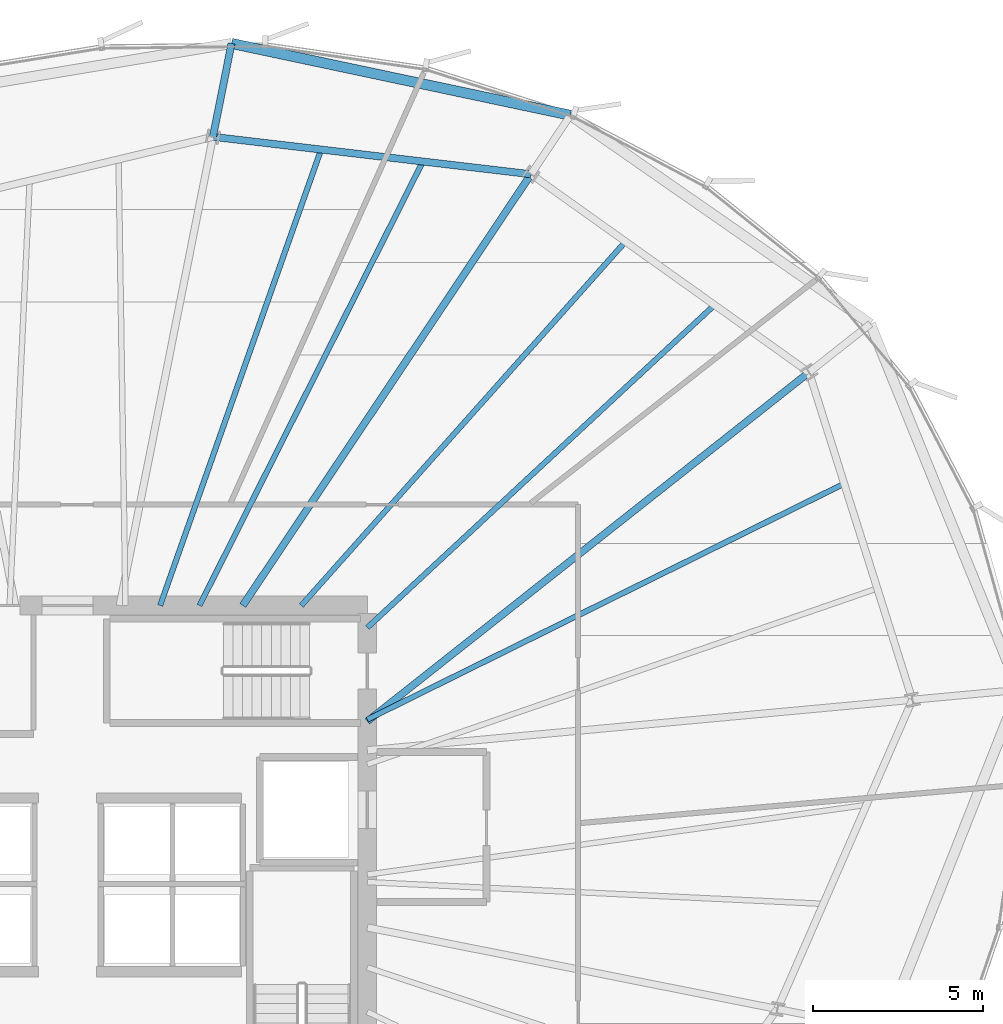
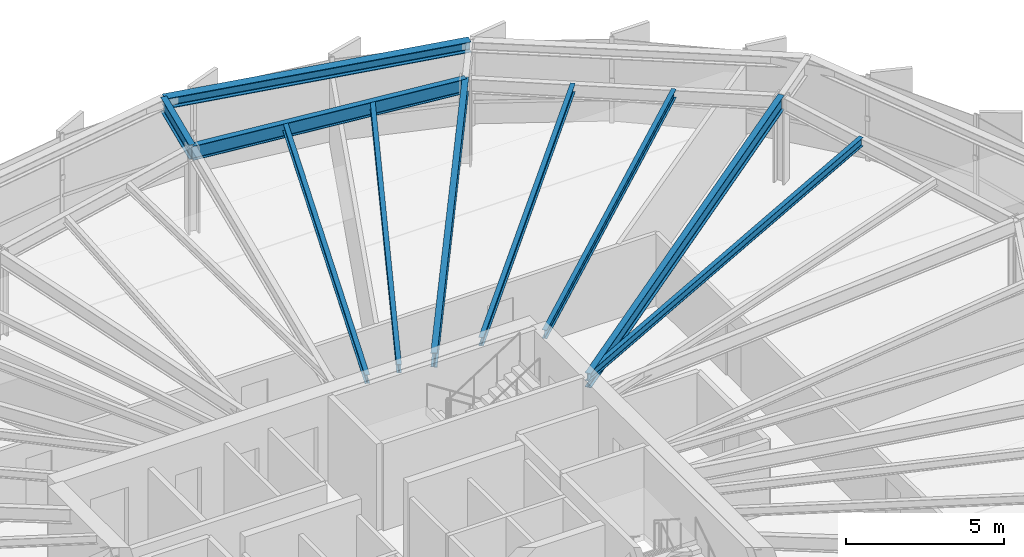
# One storey, part 22 of 35: 10 beams.
"""IFC4 building model written with IfcOpenShell, lengths in metres."""

from ifc_helpers import new_model, si_unit, direction, frame, origin, origin_2d, place, context, subcontext, project, spatial, i_section, extrude, source, transform, mapped, material, material_profile, profile_set, type_object, element, save


model = new_model("IFC4")

# Units and contexts
model_context = context("Model", 3, precision=1e-05, world=origin(), true_north=direction((0.0, 1.0)))
body_context = subcontext(model_context, "Body", "Model", "MODEL_VIEW")
ifc_project = project(units=[si_unit("LENGTHUNIT", "METRE"), si_unit("AREAUNIT", "SQUARE_METRE"), si_unit("VOLUMEUNIT", "CUBIC_METRE"), si_unit("PLANEANGLEUNIT", "RADIAN"), si_unit("MASSUNIT", "GRAM", prefix="KILO"), si_unit("THERMODYNAMICTEMPERATUREUNIT", "KELVIN")], contexts=[model_context])

# Site, building, storey
site_placement = place(None, origin())
site = spatial("IfcSite", under=ifc_project, at=site_placement, CompositionType="ELEMENT")
building_placement = place(site_placement, origin())
building = spatial("IfcBuilding", under=site, at=building_placement, Name="Kethvar Cultural Tower", CompositionType="ELEMENT")
storey_placement = place(building_placement, frame((0.0, 0.0, 121.60009765625)))
storey = spatial("IfcBuildingStorey", under=building, at=storey_placement, Name="L30", CompositionType="ELEMENT", Elevation=121.60009765625)

# Beams
ifc_material = material(Name="Steel S355J2", Category="steel")
ifc_material_profile_1 = material_profile(ifc_material, i_section(OverallWidth=0.2099609375, OverallDepth=0.550048828125, WebThickness=0.010986328125, FlangeThickness=0.01708984375, FilletRadius=0.02392578125, at=origin_2d()), Name="Steel S355J2 — IPE550")
ifc_profile_set_1 = profile_set([ifc_material_profile_1], Name="Steel S355J2 — IPE550")
beam_type_1 = type_object("IfcBeamType", Name="BM-IPE550", PredefinedType="BEAM", material=ifc_profile_set_1)
shared_shape_1 = source(origin(), body_context, "Body", "SweptSolid", [
    extrude(i_section(OverallWidth=0.2099609375, OverallDepth=0.550048828125, WebThickness=0.010986328125, FlangeThickness=0.01708984375, FilletRadius=0.02392578125, at=origin_2d()), origin(), (0.0, 0.0, 1.0), 16.527099609375),
])
beam_1_placement = place(storey_placement, frame((55.60009765625, 32.10009765625, 3.072998046875), z_axis=(0.784681939021, 0.619898584105, 0.0), x_axis=(-0.619898584105, 0.784681939021, 0.0)))
element("IfcBeam", 1, at=beam_1_placement, inside=storey, type_object=beam_type_1, Name="L30 Primary Radial Beam RB-02", PredefinedType="BEAM", context=body_context, shape_type="MappedRepresentation", body=[
    mapped(shared_shape_1, transform((0.0, 0.0, 0.0), scale=1.0)),
])
shared_shape_2 = source(origin(), body_context, "Body", "SweptSolid", [
    extrude(i_section(OverallWidth=0.2099609375, OverallDepth=0.550048828125, WebThickness=0.010986328125, FlangeThickness=0.01708984375, FilletRadius=0.02392578125, at=origin_2d()), origin(), (0.0, 0.0, 1.0), 15.22705078125),
])
beam_2_placement = place(storey_placement, frame((51.945068359375, 35.5, 3.072998046875), z_axis=(0.555569390778, 0.83147017507, 0.0), x_axis=(-0.83147017507, 0.555569390778, 0.0)))
element("IfcBeam", 2, at=beam_2_placement, inside=storey, type_object=beam_type_1, Name="L30 Primary Radial Beam RB-03", PredefinedType="BEAM", context=body_context, shape_type="MappedRepresentation", body=[
    mapped(shared_shape_2, transform((0.0, 0.0, 0.0), scale=1.0)),
])
ifc_material_profile_2 = material_profile(ifc_material, i_section(OverallWidth=0.159912109375, OverallDepth=0.330078125, WebThickness=0.007568359375, FlangeThickness=0.011474609375, FilletRadius=0.01806640625, at=origin_2d()), Name="Steel S355J2 — IPE330")
ifc_profile_set_2 = profile_set([ifc_material_profile_2], Name="Steel S355J2 — IPE330")
beam_type_2 = type_object("IfcBeamType", Name="BM-J330", PredefinedType="JOIST", material=ifc_profile_set_2)
shared_shape_3 = source(origin(), body_context, "Body", "SweptSolid", [
    extrude(i_section(OverallWidth=0.159912109375, OverallDepth=0.330078125, WebThickness=0.007568359375, FlangeThickness=0.011474609375, FilletRadius=0.01806640625, at=origin_2d()), origin(), (0.0, 0.0, 1.0), 15.618896484375),
])
beam_3_placement = place(storey_placement, frame((55.60009765625, 32.152587890625, 3.182861328125), z_axis=(0.896344638992, 0.443357968408, 0.0), x_axis=(-0.443357968408, 0.896344638992, 0.0)))
element("IfcBeam", 3, at=beam_3_placement, inside=storey, type_object=beam_type_2, Name="L30 Composite Floor Joist J-01B", PredefinedType="JOIST", context=body_context, shape_type="MappedRepresentation", body=[
    mapped(shared_shape_3, transform((0.0, 0.0, 0.0), scale=1.0)),
])
shared_shape_4 = source(origin(), body_context, "Body", "SweptSolid", [
    extrude(i_section(OverallWidth=0.159912109375, OverallDepth=0.330078125, WebThickness=0.007568359375, FlangeThickness=0.011474609375, FilletRadius=0.01806640625, at=origin_2d()), origin(), (0.0, 0.0, 1.0), 13.91455078125),
])
beam_4_placement = place(storey_placement, frame((55.60009765625, 34.85009765625, 3.182861328125), z_axis=(0.732512843328, 0.680753211054, 0.0), x_axis=(-0.680753211054, 0.732512843328, 0.0)))
element("IfcBeam", 4, at=beam_4_placement, inside=storey, type_object=beam_type_2, Name="L30 Composite Floor Joist J-02A", PredefinedType="JOIST", context=body_context, shape_type="MappedRepresentation", body=[
    mapped(shared_shape_4, transform((0.0, 0.0, 0.0), scale=1.0)),
])
shared_shape_5 = source(origin(), body_context, "Body", "SweptSolid", [
    extrude(i_section(OverallWidth=0.159912109375, OverallDepth=0.330078125, WebThickness=0.007568359375, FlangeThickness=0.011474609375, FilletRadius=0.01806640625, at=origin_2d()), origin(), (0.0, 0.0, 1.0), 14.3095703125),
])
beam_5_placement = place(storey_placement, frame((53.660888671875, 35.5, 3.182861328125), z_axis=(0.665261381663, 0.746610537073, 0.0), x_axis=(-0.746610537073, 0.665261381663, 0.0)))
element("IfcBeam", 5, at=beam_5_placement, inside=storey, type_object=beam_type_2, Name="L30 Composite Floor Joist J-02B", PredefinedType="JOIST", context=body_context, shape_type="MappedRepresentation", body=[
    mapped(shared_shape_5, transform((0.0, 0.0, 0.0), scale=1.0)),
])
shared_shape_6 = source(origin(), body_context, "Body", "SweptSolid", [
    extrude(i_section(OverallWidth=0.2099609375, OverallDepth=0.550048828125, WebThickness=0.010986328125, FlangeThickness=0.01708984375, FilletRadius=0.02392578125, at=origin_2d()), origin(), (0.0, 0.0, 1.0), 9.400634765625),
])
beam_6_placement = place(storey_placement, frame((60.40478515625, 48.160888671875, 3.072998046875), z_axis=(-0.993150427046, 0.116842754407, 0.0), x_axis=(-0.116842754407, -0.993150427046, 0.0)))
element("IfcBeam", 6, at=beam_6_placement, inside=storey, type_object=beam_type_1, Name="L30 Column Ring Tie Beam CR-03", PredefinedType="BEAM", context=body_context, shape_type="MappedRepresentation", body=[
    mapped(shared_shape_6, transform((0.0, 0.0, 0.0), scale=1.0)),
])
shared_shape_7 = source(origin(), body_context, "Body", "SweptSolid", [
    extrude(i_section(OverallWidth=0.159912109375, OverallDepth=0.330078125, WebThickness=0.007568359375, FlangeThickness=0.011474609375, FilletRadius=0.01806640625, at=origin_2d()), origin(), (0.0, 0.0, 1.0), 14.590576171875),
])
beam_7_placement = place(storey_placement, frame((50.673583984375, 35.5, 3.182861328125), z_axis=(0.449394228778, 0.893333547529, 0.0), x_axis=(-0.893333547529, 0.449394228778, 0.0)))
element("IfcBeam", 7, at=beam_7_placement, inside=storey, type_object=beam_type_2, Name="L30 Composite Floor Joist J-03A", PredefinedType="JOIST", context=body_context, shape_type="MappedRepresentation", body=[
    mapped(shared_shape_7, transform((0.0, 0.0, 0.0), scale=1.0)),
])
shared_shape_8 = source(origin(), body_context, "Body", "SweptSolid", [
    extrude(i_section(OverallWidth=0.159912109375, OverallDepth=0.330078125, WebThickness=0.007568359375, FlangeThickness=0.011474609375, FilletRadius=0.01806640625, at=origin_2d()), origin(), (0.0, 0.0, 1.0), 14.1953125),
])
beam_8_placement = place(storey_placement, frame((49.517822265625, 35.5, 3.182861328125), z_axis=(0.332865098769, 0.942974456717, 0.0), x_axis=(-0.942974456717, 0.332865098769, 0.0)))
element("IfcBeam", 8, at=beam_8_placement, inside=storey, type_object=beam_type_2, Name="L30 Composite Floor Joist J-03B", PredefinedType="JOIST", context=body_context, shape_type="MappedRepresentation", body=[
    mapped(shared_shape_8, transform((0.0, 0.0, 0.0), scale=1.0)),
])
shared_shape_9 = source(origin(), body_context, "Body", "SweptSolid", [
    extrude(i_section(OverallWidth=0.2099609375, OverallDepth=0.550048828125, WebThickness=0.010986328125, FlangeThickness=0.01708984375, FilletRadius=0.02392578125, at=origin_2d()), origin(), (0.0, 0.0, 1.0), 2.7958984375),
])
beam_9_placement = place(storey_placement, frame((51.068603515625, 49.25927734375, 3.072998046875), z_axis=(0.195074890787, 0.980788349739, 0.0), x_axis=(-0.980788349739, 0.195074890787, 0.0)))
element("IfcBeam", 9, at=beam_9_placement, inside=storey, type_object=beam_type_1, Name="L30 Perimeter Cantilever Beam RC-04", PredefinedType="BEAM", context=body_context, shape_type="MappedRepresentation", body=[
    mapped(shared_shape_9, transform((0.0, 0.0, 0.0), scale=1.0)),
])
ifc_material_profile_3 = material_profile(ifc_material, i_section(OverallWidth=0.300048828125, OverallDepth=0.39990234375, WebThickness=0.013427734375, FlangeThickness=0.02392578125, FilletRadius=0.027099609375, at=origin_2d()), Name="Steel S355J2 — HEB400")
ifc_profile_set_3 = profile_set([ifc_material_profile_3], Name="Steel S355J2 — HEB400")
beam_type_3 = type_object("IfcBeamType", Name="BM-SP400", PredefinedType="SPANDREL", material=ifc_profile_set_3)
shared_shape_10 = source(origin(), body_context, "Body", "SweptSolid", [
    extrude(i_section(OverallWidth=0.300048828125, OverallDepth=0.39990234375, WebThickness=0.013427734375, FlangeThickness=0.02392578125, FilletRadius=0.027099609375, at=origin_2d()), origin(), (0.0, 0.0, 1.0), 10.169189453125),
])
beam_10_placement = place(storey_placement, frame((61.562255859375, 49.893310546875, 3.14794921875), z_axis=(-0.978275602572, 0.207308575346, 0.0), x_axis=(-0.207308575346, -0.978275602572, 0.0)))
element("IfcBeam", 10, at=beam_10_placement, inside=storey, type_object=beam_type_3, Name="L30 Perimeter Spandrel Beam SP-03", PredefinedType="SPANDREL", context=body_context, shape_type="MappedRepresentation", body=[
    mapped(shared_shape_10, transform((0.0, 0.0, 0.0), scale=1.0)),
])

save(model, "model.ifc")
